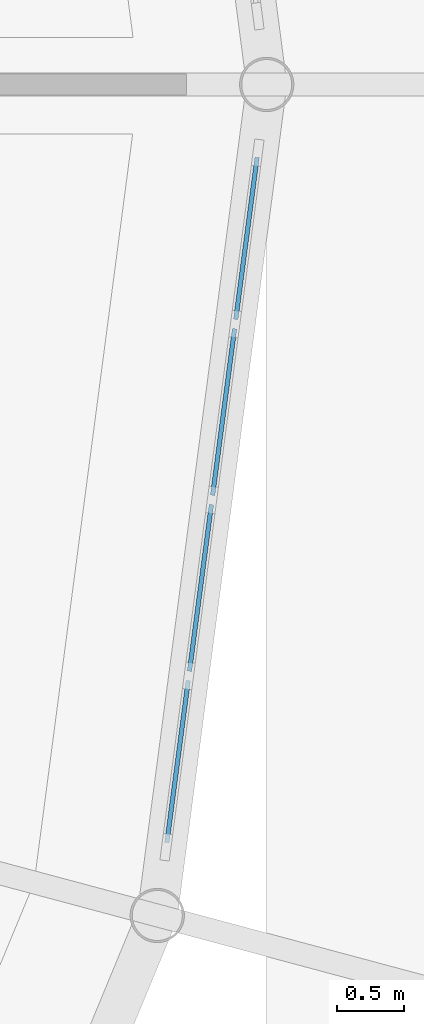
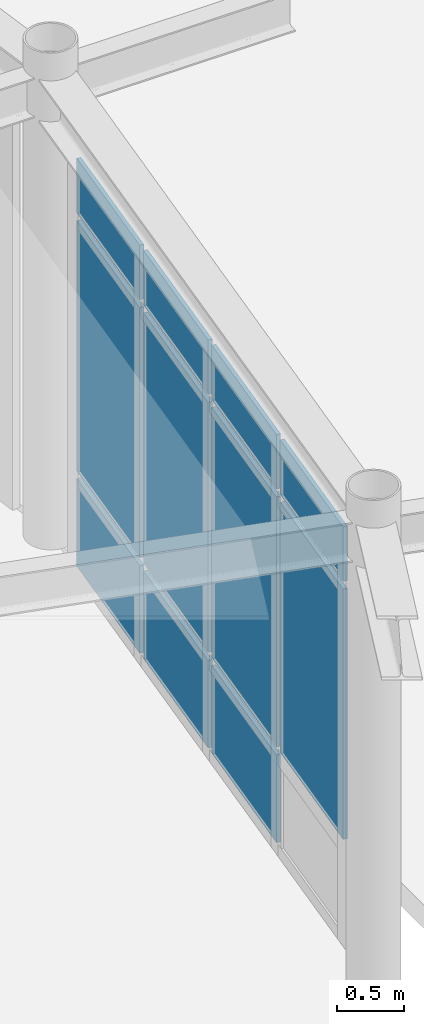
# One storey, part 65 of 101: 11 plates, 1 element without a shape of its own.
"""IFC4 building model written with IfcOpenShell, lengths in metres."""

from ifc_helpers import new_model, si_unit, derived_unit, direction, frame, origin, origin_2d, place, context, subcontext, project, spatial, rectangle, extrude, material, layer, layer_set, type_object, element, aggregate, save


model = new_model("IFC4")

# Units and contexts
model_context = context("Model", 3, precision=1e-05, world=origin(), true_north=direction((0.0, 1.0)))
body_context = subcontext(model_context, "Body", "Model", "MODEL_VIEW")
ifc_project = project(units=[si_unit("LENGTHUNIT", "METRE"), si_unit("AREAUNIT", "SQUARE_METRE"), si_unit("VOLUMEUNIT", "CUBIC_METRE"), si_unit("PLANEANGLEUNIT", "RADIAN"), si_unit("MASSUNIT", "GRAM", prefix="KILO"), derived_unit("THERMALTRANSMITTANCEUNIT", [(si_unit("POWERUNIT", "WATT"), 1), (si_unit("AREAUNIT", "SQUARE_METRE"), -1), (si_unit("THERMODYNAMICTEMPERATUREUNIT", "KELVIN"), -1)])], contexts=[model_context])

# Site, building, storey
site_placement = place(None, origin())
site = spatial("IfcSite", under=ifc_project, at=site_placement, CompositionType="ELEMENT")
building_placement = place(site_placement, origin())
building = spatial("IfcBuilding", under=site, at=building_placement, Name="Yasenodar Specialist Clinic", CompositionType="ELEMENT")
storey_placement = place(building_placement, origin())
storey = spatial("IfcBuildingStorey", under=building, at=storey_placement, Name="L00", CompositionType="ELEMENT", Elevation=0.0)

# Curtain wall, plates
ifc_material_1 = material(Name="Bronze Anodized Aluminium and Triple Low-E Glass", Category="aluminium")
ifc_layer_1 = layer(ifc_material_1, 0.1669921875)
ifc_layer_set_1 = layer_set([ifc_layer_1], Name="Bronze Anodized Aluminium and Triple Low-E Glass")
curtain_wall_type = type_object("IfcCurtainWallType", Name="CW-SYS-01", PredefinedType="USERDEFINED", material=ifc_layer_set_1)
curtain_wall_placement = place(storey_placement, origin())
curtain_wall = element("IfcCurtainWall", 1, at=curtain_wall_placement, inside=storey, type_object=curtain_wall_type, Name="L00 Unitised Curtain Wall 013", ObjectType="UNITISED CURTAIN WALL", PredefinedType="USERDEFINED")
ifc_material_2 = material(Name="Triple Low-E Argon Glazing", Category="glass")
ifc_layer_2 = layer(ifc_material_2, 0.033935546875)
ifc_layer_set_2 = layer_set([ifc_layer_2], Name="Triple Low-E Argon Glazing")
plate_type = type_object("IfcPlateType", Name="CW-PAN-2", PredefinedType="CURTAIN_PANEL", material=ifc_layer_set_2)
plate_1_placement = place(storey_placement, frame((104.848388671875, 57.649169921875, 0.070068359375), z_axis=(0.0, 0.0, 1.0), x_axis=(-0.13051156024, -0.991446787601, 0.0)))
plate_1 = element("IfcPlate", 2, at=plate_1_placement, type_object=plate_type, Name="CW-01 panel 1.1", PredefinedType="CURTAIN_PANEL", context=body_context, shape_type="SweptSolid", body=[
    extrude(rectangle(XDim=1.221435546875, YDim=0.033935546875, at=origin_2d()), origin(), (0.0, 0.0, 1.0), 0.794921875),
])
plate_2_placement = place(storey_placement, frame((104.848388671875, 57.649169921875, 0.93505859375), z_axis=(0.0, 0.0, 1.0), x_axis=(-0.13051156024, -0.991446787601, 0.0)))
plate_2 = element("IfcPlate", 3, at=plate_2_placement, type_object=plate_type, Name="CW-01 panel 1.2", PredefinedType="CURTAIN_PANEL", context=body_context, shape_type="SweptSolid", body=[
    extrude(rectangle(XDim=1.221435546875, YDim=0.033935546875, at=origin_2d()), origin(), (0.0, 0.0, 1.0), 2.26806640625),
])
plate_3_placement = place(storey_placement, frame((104.848388671875, 57.649169921875, 3.27294921875), z_axis=(0.0, 0.0, 1.0), x_axis=(-0.13051156024, -0.991446787601, 0.0)))
plate_3 = element("IfcPlate", 4, at=plate_3_placement, type_object=plate_type, Name="CW-01 panel 1.3", PredefinedType="CURTAIN_PANEL", context=body_context, shape_type="SweptSolid", body=[
    extrude(rectangle(XDim=1.221435546875, YDim=0.033935546875, at=origin_2d()), origin(), (0.0, 0.0, 1.0), 0.4951171875),
])
plate_4_placement = place(storey_placement, frame((104.677734375, 56.3515625, 0.070068359375), z_axis=(0.0, 0.0, 1.0), x_axis=(-0.13051156024, -0.991446787601, 0.0)))
plate_4 = element("IfcPlate", 5, at=plate_4_placement, type_object=plate_type, Name="CW-01 panel 2.1", PredefinedType="CURTAIN_PANEL", context=body_context, shape_type="SweptSolid", body=[
    extrude(rectangle(XDim=1.25634765625, YDim=0.033935546875, at=origin_2d()), origin(), (0.0, 0.0, 1.0), 0.794921875),
])
plate_5_placement = place(storey_placement, frame((104.677734375, 56.3515625, 0.93505859375), z_axis=(0.0, 0.0, 1.0), x_axis=(-0.13051156024, -0.991446787601, 0.0)))
plate_5 = element("IfcPlate", 6, at=plate_5_placement, type_object=plate_type, Name="CW-01 panel 2.2", PredefinedType="CURTAIN_PANEL", context=body_context, shape_type="SweptSolid", body=[
    extrude(rectangle(XDim=1.25634765625, YDim=0.033935546875, at=origin_2d()), origin(), (0.0, 0.0, 1.0), 2.26806640625),
])
plate_6_placement = place(storey_placement, frame((104.677734375, 56.3515625, 3.27294921875), z_axis=(0.0, 0.0, 1.0), x_axis=(-0.13051156024, -0.991446787601, 0.0)))
plate_6 = element("IfcPlate", 7, at=plate_6_placement, type_object=plate_type, Name="CW-01 panel 2.3", PredefinedType="CURTAIN_PANEL", context=body_context, shape_type="SweptSolid", body=[
    extrude(rectangle(XDim=1.25634765625, YDim=0.033935546875, at=origin_2d()), origin(), (0.0, 0.0, 1.0), 0.4951171875),
])
plate_7_placement = place(storey_placement, frame((104.504638671875, 55.03662109375, 0.070068359375), z_axis=(0.0, 0.0, 1.0), x_axis=(-0.13051156024, -0.991446787601, 0.0)))
plate_7 = element("IfcPlate", 8, at=plate_7_placement, type_object=plate_type, Name="CW-01 panel 3.1", PredefinedType="CURTAIN_PANEL", context=body_context, shape_type="SweptSolid", body=[
    extrude(rectangle(XDim=1.25634765625, YDim=0.033935546875, at=origin_2d()), origin(), (0.0, 0.0, 1.0), 0.794921875),
])
plate_8_placement = place(storey_placement, frame((104.504638671875, 55.03662109375, 0.93505859375), z_axis=(0.0, 0.0, 1.0), x_axis=(-0.13051156024, -0.991446787601, 0.0)))
plate_8 = element("IfcPlate", 9, at=plate_8_placement, type_object=plate_type, Name="CW-01 panel 3.2", PredefinedType="CURTAIN_PANEL", context=body_context, shape_type="SweptSolid", body=[
    extrude(rectangle(XDim=1.25634765625, YDim=0.033935546875, at=origin_2d()), origin(), (0.0, 0.0, 1.0), 2.26806640625),
])
plate_9_placement = place(storey_placement, frame((104.504638671875, 55.03662109375, 3.27294921875), z_axis=(0.0, 0.0, 1.0), x_axis=(-0.13051156024, -0.991446787601, 0.0)))
plate_9 = element("IfcPlate", 10, at=plate_9_placement, type_object=plate_type, Name="CW-01 panel 3.3", PredefinedType="CURTAIN_PANEL", context=body_context, shape_type="SweptSolid", body=[
    extrude(rectangle(XDim=1.25634765625, YDim=0.033935546875, at=origin_2d()), origin(), (0.0, 0.0, 1.0), 0.4951171875),
])
plate_10_placement = place(storey_placement, frame((104.333740234375, 53.739013671875, 0.93505859375), z_axis=(0.0, 0.0, 1.0), x_axis=(-0.13051156024, -0.991446787601, 0.0)))
plate_10 = element("IfcPlate", 11, at=plate_10_placement, type_object=plate_type, Name="CW-01 panel 4.2", PredefinedType="CURTAIN_PANEL", context=body_context, shape_type="SweptSolid", body=[
    extrude(rectangle(XDim=1.221435546875, YDim=0.033935546875, at=origin_2d()), origin(), (0.0, 0.0, 1.0), 2.26806640625),
])
plate_11_placement = place(storey_placement, frame((104.333740234375, 53.739013671875, 3.27294921875), z_axis=(0.0, 0.0, 1.0), x_axis=(-0.13051156024, -0.991446787601, 0.0)))
plate_11 = element("IfcPlate", 12, at=plate_11_placement, type_object=plate_type, Name="CW-01 panel 4.3", PredefinedType="CURTAIN_PANEL", context=body_context, shape_type="SweptSolid", body=[
    extrude(rectangle(XDim=1.221435546875, YDim=0.033935546875, at=origin_2d()), origin(), (0.0, 0.0, 1.0), 0.4951171875),
])
aggregate(curtain_wall, [plate_1, plate_2, plate_3, plate_4, plate_5, plate_6, plate_7, plate_8, plate_9, plate_10, plate_11])

save(model, "model.ifc")
